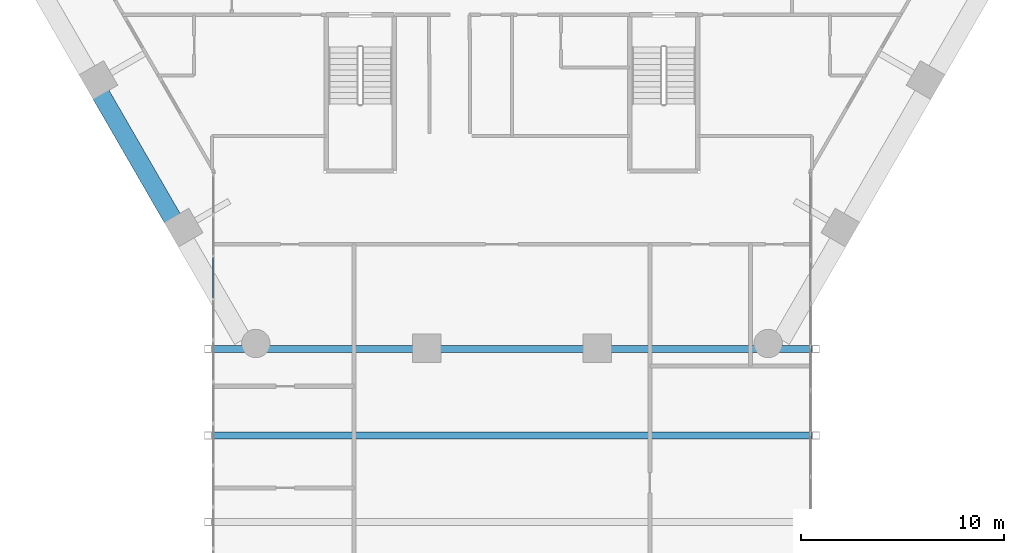
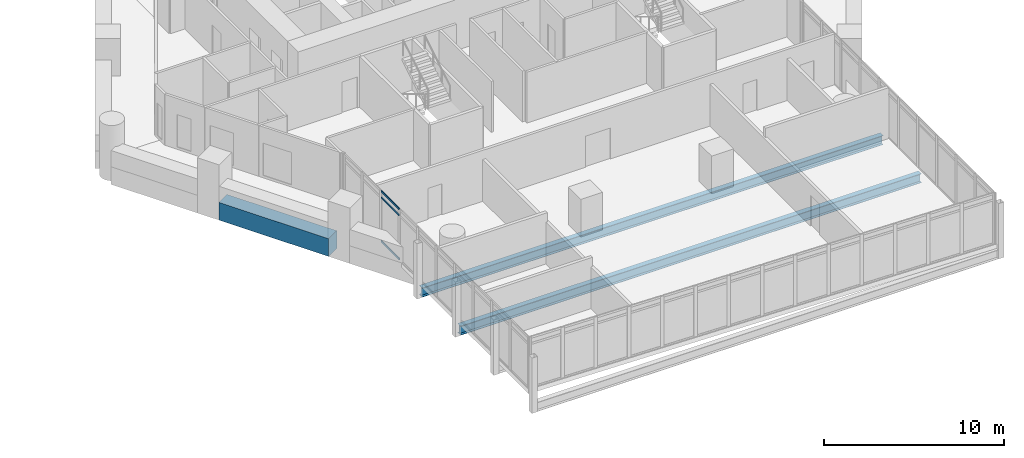
# One storey, part 8 of 28: 3 beams, 3 members, 1 element without a shape of its own.
"""IFC4 building model written with IfcOpenShell, lengths in metres."""

from ifc_helpers import new_model, si_unit, direction, frame, origin, origin_2d, place, context, subcontext, project, spatial, rectangle, hollow_rectangle, i_section, extrude, material, material_profile, profile_set, type_object, element, aggregate, save


model = new_model("IFC4")

# Units and contexts
model_context = context("Model", 3, precision=1e-05, world=origin(), true_north=direction((0.0, 1.0)))
body_context = subcontext(model_context, "Body", "Model", "MODEL_VIEW")
ifc_project = project(units=[si_unit("LENGTHUNIT", "METRE"), si_unit("AREAUNIT", "SQUARE_METRE"), si_unit("VOLUMEUNIT", "CUBIC_METRE"), si_unit("PLANEANGLEUNIT", "RADIAN"), si_unit("MASSUNIT", "GRAM", prefix="KILO")], contexts=[model_context])

# Site, building, storey
site_placement = place(None, origin())
site = spatial("IfcSite", under=ifc_project, at=site_placement, CompositionType="ELEMENT")
building_placement = place(site_placement, origin())
building = spatial("IfcBuilding", under=site, at=building_placement, Name="Ostrander Bayou Hotel Tower", CompositionType="ELEMENT")
storey_placement = place(building_placement, frame((0.0, 0.0, 73.0)))
storey = spatial("IfcBuildingStorey", under=building, at=storey_placement, Name="L18", CompositionType="ELEMENT", Elevation=73.0)

# Curtain wall, members
ifc_material_1 = material(Name="Aluminium and clear glass", Category="aluminium")
curtain_wall_type = type_object("IfcCurtainWallType", Name="CW-BAR glazed wall", PredefinedType="NOTDEFINED", material=ifc_material_1)
curtain_wall_placement = place(storey_placement, origin())
curtain_wall = element("IfcCurtainWall", 1, at=curtain_wall_placement, inside=storey, type_object=curtain_wall_type, Name="CW-BAR L18:SB1S:E", PredefinedType="NOTDEFINED")
ifc_material_2 = material(Name="Aluminium", Category="aluminium")
ifc_material_profile_1 = material_profile(ifc_material_2, hollow_rectangle(XDim=0.06005859375, YDim=0.1298828125, WallThickness=0.00390625, at=origin_2d()))
ifc_profile_set_1 = profile_set([ifc_material_profile_1], Name="Aluminium")
member_type = type_object("IfcMemberType", Name="CW-BR transom 60 x 130 mm", PredefinedType="USERDEFINED", material=ifc_profile_set_1)
member_1_placement = place(storey_placement, frame((-14.712158203125, -15.654541015625, 0.030029296875), z_axis=(0.0, -1.0, 0.0), x_axis=(1.0, 0.0, 0.0)))
member_1 = element("IfcMember", 2, at=member_1_placement, type_object=member_type, Name="CW-BAR transom 3.1", ObjectType="TRANSOM", PredefinedType="USERDEFINED", context=body_context, shape_type="SweptSolid", body=[
    extrude(hollow_rectangle(XDim=0.06005859375, YDim=0.1298828125, WallThickness=0.00390625, at=origin_2d()), origin(), (0.0, 0.0, 1.0), 1.993408203125),
])
member_2_placement = place(storey_placement, frame((-14.712158203125, -15.654541015625, 3.0), z_axis=(0.0, -1.0, 0.0), x_axis=(1.0, 0.0, 0.0)))
member_2 = element("IfcMember", 3, at=member_2_placement, type_object=member_type, Name="CW-BAR transom 3.2", ObjectType="TRANSOM", PredefinedType="USERDEFINED", context=body_context, shape_type="SweptSolid", body=[
    extrude(hollow_rectangle(XDim=0.06005859375, YDim=0.1298828125, WallThickness=0.00390625, at=origin_2d()), origin(), (0.0, 0.0, 1.0), 1.993408203125),
])
member_3_placement = place(storey_placement, frame((-14.712158203125, -15.654541015625, 3.419921875), z_axis=(0.0, -1.0, 0.0), x_axis=(1.0, 0.0, 0.0)))
member_3 = element("IfcMember", 4, at=member_3_placement, type_object=member_type, Name="CW-BAR transom 3.3", ObjectType="TRANSOM", PredefinedType="USERDEFINED", context=body_context, shape_type="SweptSolid", body=[
    extrude(hollow_rectangle(XDim=0.06005859375, YDim=0.1298828125, WallThickness=0.00390625, at=origin_2d()), origin(), (0.0, 0.0, 1.0), 1.993408203125),
])
aggregate(curtain_wall, [member_1, member_2, member_3])

# Beams
ifc_material_3 = material(Name="Concrete f'c 70 MPa", Category="concrete")
ifc_material_profile_2 = material_profile(ifc_material_3, rectangle(XDim=0.89990234375, YDim=1.199951171875, at=origin_2d()))
ifc_profile_set_2 = profile_set([ifc_material_profile_2], Name="Concrete f'c 70 MPa")
beam_type_1 = type_object("IfcBeamType", Name="SP1 spandrel beam 900 x 1200 mm f'c 70 MPa", PredefinedType="SPANDREL", material=ifc_profile_set_2)
beam_placement = place(storey_placement, frame((-20.252197265625, -7.621826171875, -0.60009765625), z_axis=(0.499997206141, -0.866027016814, 0.0), x_axis=(0.866027016814, 0.499997206141, 0.0)))
element("IfcBeam", 5, at=beam_placement, inside=storey, type_object=beam_type_1, Name="SP1 L18 SW-2", PredefinedType="SPANDREL", context=body_context, shape_type="SweptSolid", body=[
    extrude(rectangle(XDim=0.89990234375, YDim=1.199951171875, at=origin_2d()), origin(), (0.0, 0.0, 1.0), 7.05078125),
])
ifc_material_4 = material(Name="Steel ASTM A992", Category="steel")
ifc_material_profile_3 = material_profile(ifc_material_4, i_section(OverallWidth=0.32763671875, OverallDepth=0.621826171875, WebThickness=0.015380859375, FlangeThickness=0.0244140625, at=origin_2d()))
ifc_profile_set_3 = profile_set([ifc_material_profile_3], Name="Steel ASTM A992")
beam_type_2 = type_object("IfcBeamType", Name="TF1 bar floor beam W24x131", PredefinedType="BEAM", material=ifc_profile_set_3)
for number, where, z_axis, x_axis, name in (
    (6, (-14.787109375, -20.162841796875, -0.61083984375), (1.0, 0.0, 0.0), (0.0, 1.0, 0.0), "TF1 SB1S L3-1"),
    (7, (-14.787109375, -24.42529296875, -0.61083984375), (1.0, 0.0, 0.0), (0.0, 1.0, 0.0), "TF1 SB1S L3-2"),
):
    element("IfcBeam", number, at=place(storey_placement, frame(where, z_axis=z_axis, x_axis=x_axis)), inside=storey, type_object=beam_type_2, Name=name, PredefinedType="BEAM", context=body_context, shape_type="SweptSolid", body=[
        extrude(i_section(OverallWidth=0.32763671875, OverallDepth=0.621826171875, WebThickness=0.015380859375, FlangeThickness=0.0244140625, at=origin_2d()), origin(), (0.0, 0.0, 1.0), 29.57421875),
    ])

save(model, "model.ifc")
